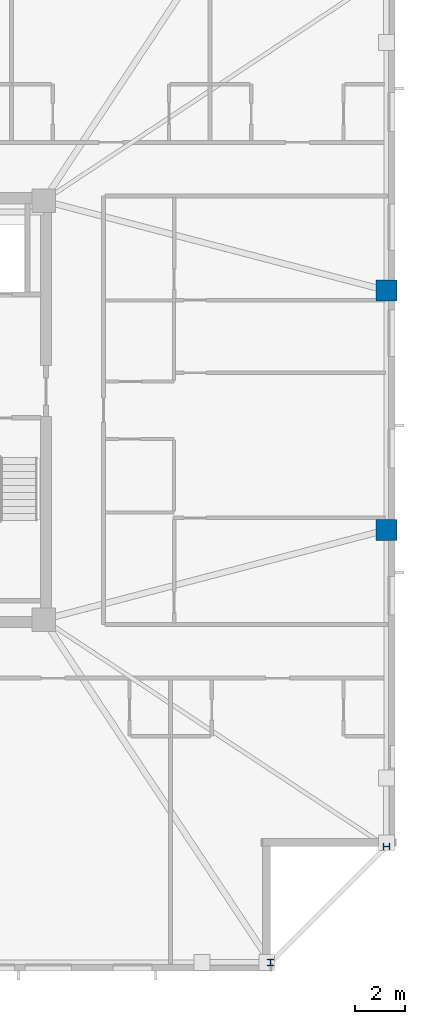
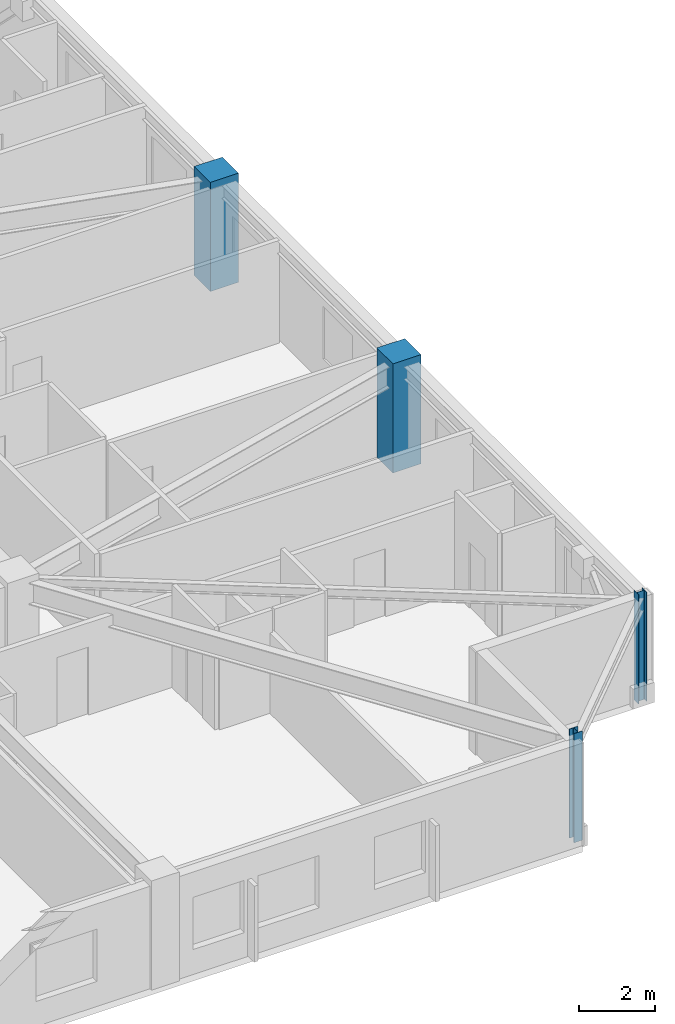
# One storey, part 3 of 17: 4 columns.
"""IFC4 building model written with IfcOpenShell, lengths in metres."""

import ifcopenshell
import ifcopenshell.guid

model = None  # the IFC model being written
_history = None  # IfcOwnerHistory: only IFC2X3 demands one
_inside = {}  # id of a spatial element -> (the spatial element, [elements in it])
_under = {}  # id of a project, library or spatial element -> (it, [spatial elements below it])
_declared = {}  # id of a project -> (the project, [libraries it declares])
_typed = {}  # id of a type object -> (the type object, [elements of that type])
_made_of = {}  # id of a material, layer set ... -> (it, [elements and type objects made of it])


def new_model(schema):
    """Start an empty IFC model of exactly this schema.

    Asked for "IFC4X3", IfcOpenShell would pick the latest addendum, in which some entities
    have other attributes; the version numbers below select the first issue.
    IFC2X3 requires an IfcOwnerHistory on every rooted entity: one is made here for all.
    """
    global model, _history
    if schema == "IFC4X3":
        model = ifcopenshell.file(schema_version=(4, 3, 0, 0))
    else:
        model = ifcopenshell.file(schema=schema)
    _inside.clear()
    _under.clear()
    _declared.clear()
    _typed.clear()
    _made_of.clear()
    _history = None
    if model.schema == "IFC2X3":
        org = make("IfcOrganization", Name="unknown")
        user = make(
            "IfcPersonAndOrganization",
            ThePerson=make("IfcPerson", FamilyName="unknown"),
            TheOrganization=org,
        )
        app = make(
            "IfcApplication",
            ApplicationDeveloper=org,
            Version="unknown",
            ApplicationFullName="unknown",
            ApplicationIdentifier="unknown",
        )
        _history = make(
            "IfcOwnerHistory",
            OwningUser=user,
            OwningApplication=app,
            ChangeAction="ADDED",
            CreationDate=0,
        )
    return model


def make(cls, **values):
    """One entity of the class cls with the attributes given. An attribute that is None is left unset."""
    return model.create_entity(
        cls, **{name: value for name, value in values.items() if value is not None}
    )


def rooted(cls, **values):
    """An entity with a GlobalId (a new one), such as an element, a storey or a relation."""
    return make(cls, GlobalId=ifcopenshell.guid.new(), OwnerHistory=_history, **values)


def si_unit(unit_type, name, prefix=None):
    """IfcSIUnit, for example si_unit("LENGTHUNIT", "METRE", prefix="MILLI")."""
    return make("IfcSIUnit", UnitType=unit_type, Prefix=prefix, Name=name)


def assignment(units):
    """IfcUnitAssignment: the units of a project."""
    return None if units is None else make("IfcUnitAssignment", Units=units)


def point(xyz):
    """IfcCartesianPoint."""
    return None if xyz is None else make("IfcCartesianPoint", Coordinates=xyz)


def direction(xyz):
    """IfcDirection."""
    return None if xyz is None else make("IfcDirection", DirectionRatios=xyz)


def frame(location, z_axis=None, x_axis=None):
    """IfcAxis2Placement3D, a coordinate frame: its origin and axes. An axis left out is left unset."""
    return make(
        "IfcAxis2Placement3D",
        Location=point(location),
        Axis=direction(z_axis),
        RefDirection=direction(x_axis),
    )


def frame_2d(location, x_axis=None):
    """IfcAxis2Placement2D, a coordinate frame in the plane: its origin and x axis."""
    return make(
        "IfcAxis2Placement2D", Location=point(location), RefDirection=direction(x_axis)
    )


def origin():
    """The frame at (0, 0, 0) with its axes left unset."""
    return frame((0.0, 0.0, 0.0))


def origin_2d():
    """The frame at (0, 0) in the plane with its x axis left unset."""
    return frame_2d((0.0, 0.0))


def place(relative_to, where):
    """IfcLocalPlacement: puts the frame where relative to a parent placement (None: the world)."""
    return make(
        "IfcLocalPlacement", PlacementRelTo=relative_to, RelativePlacement=where
    )


def context(
    kind, dimensions, precision=None, world=None, true_north=None, identifier=None
):
    """IfcGeometricRepresentationContext, for example the 3D "Model" context."""
    return make(
        "IfcGeometricRepresentationContext",
        ContextIdentifier=identifier,
        ContextType=kind,
        CoordinateSpaceDimension=dimensions,
        Precision=precision,
        WorldCoordinateSystem=world,
        TrueNorth=true_north,
    )


def subcontext(parent, identifier, kind, view, scale=None):
    """IfcGeometricRepresentationSubContext, for example "Body" below "Model"."""
    return make(
        "IfcGeometricRepresentationSubContext",
        ContextIdentifier=identifier,
        ContextType=kind,
        ParentContext=parent,
        TargetScale=scale,
        TargetView=view,
    )


def project(units=None, contexts=None):
    """IfcProject with its units and contexts."""
    return rooted(
        "IfcProject",
        Name="project",
        RepresentationContexts=contexts,
        UnitsInContext=assignment(units),
    )


def spatial(cls, under=None, at=None, **own):
    """A site, building, storey or space (cls), placed at a placement, below another one or the project."""
    s = rooted(cls, ObjectPlacement=at, **own)
    if under is not None:
        _under.setdefault(under.id(), (under, []))[1].append(s)
    return s


def profile(cls, at=None, kind="AREA", **sizes):
    """A parametric profile (cls). Its sizes go by their IFC names, for example OverallWidth=200.0."""
    return make(cls, ProfileType=kind, Position=at, **sizes)


def rectangle(**sizes):
    """IfcRectangleProfileDef."""
    return profile("IfcRectangleProfileDef", **sizes)


def i_section(**sizes):
    """IfcIShapeProfileDef."""
    return profile("IfcIShapeProfileDef", **sizes)


def extrude(swept, where, along, depth):
    """IfcExtrudedAreaSolid: the profile swept, set in the frame where, extruded along a direction by depth."""
    return make(
        "IfcExtrudedAreaSolid",
        SweptArea=swept,
        Position=where,
        ExtrudedDirection=direction(along),
        Depth=depth,
    )


def shape(context_of_items, identifier, shape_type, items):
    """IfcShapeRepresentation: the items that make up one representation, for example the "Body"."""
    return make(
        "IfcShapeRepresentation",
        ContextOfItems=context_of_items,
        RepresentationIdentifier=identifier,
        RepresentationType=shape_type,
        Items=items,
    )


def material(Name=None, Category=None):
    """IfcMaterial."""
    return make("IfcMaterial", Name=Name, Category=Category)


def material_profile(
    of_material, cross_section, Name=None, Category=None, Priority=None
):
    """IfcMaterialProfile: a cross section and its material."""
    return make(
        "IfcMaterialProfile",
        Name=Name,
        Material=of_material,
        Profile=cross_section,
        Priority=Priority,
        Category=Category,
    )


def profile_set(profiles, Name=None, composite=None):
    """IfcMaterialProfileSet."""
    return make(
        "IfcMaterialProfileSet",
        Name=Name,
        MaterialProfiles=profiles,
        CompositeProfile=composite,
    )


def made_of(thing, what):
    """Note that an element or type object is made of a material, layer set ...; save() writes the relation."""
    if what is not None:
        _made_of.setdefault(what.id(), (what, []))[1].append(thing)
    return thing


def type_object(cls, material=None, **own):
    """A type object (cls), such as IfcWallType, which elements share."""
    return made_of(rooted(cls, **own), material)


def element(
    cls,
    number,
    at=None,
    inside=None,
    cuts=None,
    type_object=None,
    material=None,
    context=None,
    identifier="Body",
    shape_type=None,
    held_by="IfcProductDefinitionShape",
    body=None,
    shapes=None,
    **own,
):
    """One element of the class cls, such as IfcWall. Its Tag is "e" and its number.

    at: its placement. inside: the storey or other place that contains it. cuts: it is an
    opening in that element (IfcRelVoidsElement). A single representation is given by context,
    identifier, shape_type and body (its items); several are given by shapes. held_by: the class
    of the entity that holds the representations. save() writes the other relations.
    """
    e = rooted(cls, Tag="e%d" % number, ObjectPlacement=at, **own)
    if body is not None:
        shapes = [shape(context, identifier, shape_type, body)]
    if shapes is not None:
        e.Representation = make(held_by, Representations=shapes)
    if inside is not None:
        _inside.setdefault(inside.id(), (inside, []))[1].append(e)
    if cuts is not None:
        rooted(
            "IfcRelVoidsElement", RelatingBuildingElement=cuts, RelatedOpeningElement=e
        )
    if type_object is not None:
        _typed.setdefault(type_object.id(), (type_object, []))[1].append(e)
    return made_of(e, material)


def aggregate(whole, parts):
    """IfcRelAggregates: a whole, such as a stair, and the parts it consists of."""
    return rooted("IfcRelAggregates", RelatingObject=whole, RelatedObjects=parts)


def save(model, path):
    """Write the relations noted so far, then the file.

    IfcRelAggregates (storeys below a building ...), IfcRelContainedInSpatialStructure (elements
    in a storey), IfcRelDefinesByType, IfcRelAssociatesMaterial and IfcRelDeclares: one each for
    every whole, place, type object, material and project.
    """
    for whole, parts in _under.values():
        aggregate(whole, parts)
    for where, things in _inside.values():
        rooted(
            "IfcRelContainedInSpatialStructure",
            RelatedElements=things,
            RelatingStructure=where,
        )
    for kind, things in _typed.values():
        rooted("IfcRelDefinesByType", RelatedObjects=things, RelatingType=kind)
    for what, things in _made_of.values():
        rooted("IfcRelAssociatesMaterial", RelatedObjects=things, RelatingMaterial=what)
    for by, libraries in _declared.values():
        rooted("IfcRelDeclares", RelatingContext=by, RelatedDefinitions=libraries)
    model.write(path)


model = new_model("IFC4")

# Units and contexts
model_context = context("Model", 3, precision=1e-05, world=origin(), true_north=direction((0.0, 1.0)))
body_context = subcontext(model_context, "Body", "Model", "MODEL_VIEW")
ifc_project = project(units=[si_unit("LENGTHUNIT", "METRE"), si_unit("AREAUNIT", "SQUARE_METRE"), si_unit("VOLUMEUNIT", "CUBIC_METRE"), si_unit("PLANEANGLEUNIT", "RADIAN"), si_unit("MASSUNIT", "GRAM", prefix="KILO")], contexts=[model_context])

# Site, building, storey
site_placement = place(None, origin())
site = spatial("IfcSite", under=ifc_project, at=site_placement, CompositionType="ELEMENT")
building_placement = place(site_placement, origin())
building = spatial("IfcBuilding", under=site, at=building_placement, Name="Cairnveth Concourse Tower", CompositionType="ELEMENT")
storey_placement = place(building_placement, frame((0.0, 0.0, 248.0)))
storey = spatial("IfcBuildingStorey", under=building, at=storey_placement, Name="L68", CompositionType="ELEMENT", Elevation=248.0)

# Columns
ifc_material_1 = material(Name="Concrete N65 (65 MPa)", Category="concrete")
ifc_material_profile_1 = material_profile(ifc_material_1, rectangle(XDim=0.85009765625, YDim=0.85009765625, at=origin_2d()), Name="RC-COL-850x850")
ifc_profile_set_1 = profile_set([ifc_material_profile_1], Name="Concrete N65 (65 MPa)")
column_type_1 = type_object("IfcColumnType", Name="PERIMETER PIER COLUMN 850X850", PredefinedType="COLUMN", material=ifc_profile_set_1)
for number, where, z_axis, x_axis, name in (
    (1, (74.14990234375, 34.199951171875, 0.0), (0.0, 0.0, 1.0), (0.0, 1.0, 0.0), "Column P-E2 L68"),
    (2, (74.14990234375, 43.800048828125, 0.0), (0.0, 0.0, 1.0), (0.0, 1.0, 0.0), "Column P-E3 L68"),
):
    element("IfcColumn", number, at=place(storey_placement, frame(where, z_axis=z_axis, x_axis=x_axis)), inside=storey, type_object=column_type_1, Name=name, PredefinedType="COLUMN", context=body_context, shape_type="SweptSolid", body=[
        extrude(rectangle(XDim=0.85009765625, YDim=0.85009765625, at=origin_2d()), origin(), (0.0, 0.0, 1.0), 3.5),
    ])
ifc_material_2 = material(Name="Steel Grade 350", Category="steel")
ifc_material_profile_2 = material_profile(ifc_material_2, i_section(OverallWidth=0.256103515625, OverallDepth=0.260009765625, WebThickness=0.010498046875, FlangeThickness=0.017333984375, FilletRadius=0.012939453125, at=origin_2d()), Name="250UC89.5")
ifc_profile_set_2 = profile_set([ifc_material_profile_2], Name="Steel Grade 350")
column_type_2 = type_object("IfcColumnType", Name="UNIVERSAL STEEL COLUMN 250UC89.5", PredefinedType="COLUMN", material=ifc_profile_set_2)
for number, where, z_axis, x_axis, name in (
    (3, (69.5, 16.85009765625, 0.0), (0.0, 0.0, 1.0), (1.0, 0.0, 0.0), "Column P-S4 L68"),
    (4, (74.14990234375, 21.5, 0.0), (0.0, 0.0, 1.0), (0.0, 1.0, 0.0), "Column P-E1 L68"),
):
    element("IfcColumn", number, at=place(storey_placement, frame(where, z_axis=z_axis, x_axis=x_axis)), inside=storey, type_object=column_type_2, Name=name, PredefinedType="COLUMN", context=body_context, shape_type="SweptSolid", body=[
        extrude(i_section(OverallWidth=0.256103515625, OverallDepth=0.260009765625, WebThickness=0.010498046875, FlangeThickness=0.017333984375, FilletRadius=0.012939453125, at=origin_2d()), origin(), (0.0, 0.0, 1.0), 3.5),
    ])

save(model, "model.ifc")
